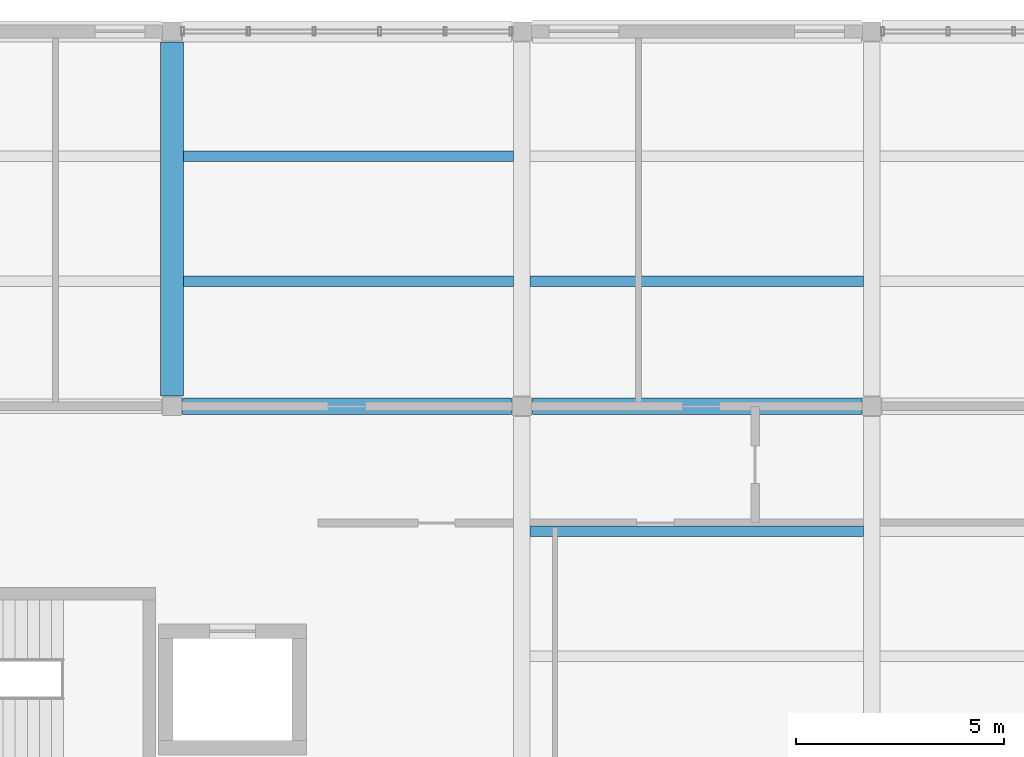
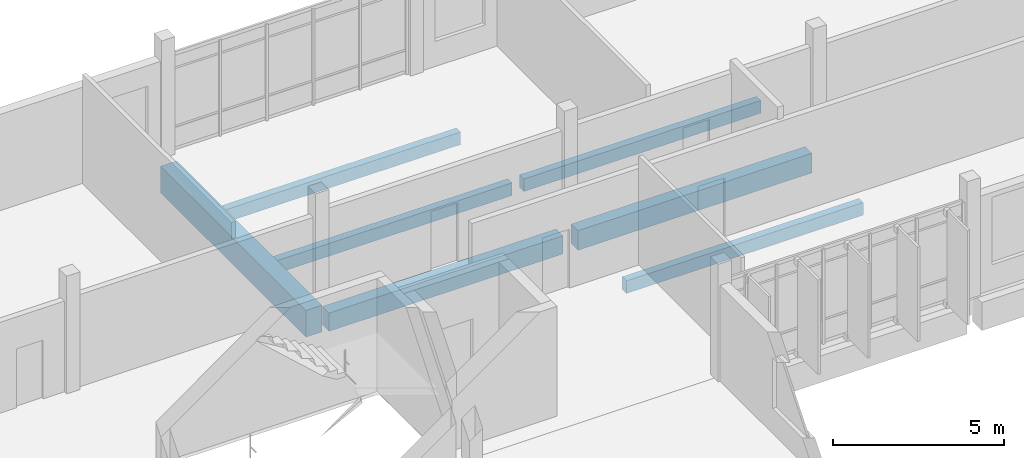
# One storey, part 37 of 62: 7 beams.
"""IFC4 building model written with IfcOpenShell, lengths in metres."""

from ifc_helpers import new_model, si_unit, direction, frame, origin, origin_2d, place, context, subcontext, project, spatial, rectangle, extrude, material, material_profile, profile_set, type_object, element, save


model = new_model("IFC4")

# Units and contexts
model_context = context("Model", 3, precision=1e-05, world=origin(), true_north=direction((0.0, 1.0)))
body_context = subcontext(model_context, "Body", "Model", "MODEL_VIEW")
ifc_project = project(units=[si_unit("LENGTHUNIT", "METRE"), si_unit("AREAUNIT", "SQUARE_METRE"), si_unit("VOLUMEUNIT", "CUBIC_METRE"), si_unit("PLANEANGLEUNIT", "RADIAN"), si_unit("MASSUNIT", "GRAM", prefix="KILO")], contexts=[model_context])

# Site, building, storey
site_placement = place(None, origin())
site = spatial("IfcSite", under=ifc_project, at=site_placement, CompositionType="ELEMENT")
building_placement = place(site_placement, origin())
building = spatial("IfcBuilding", under=site, at=building_placement, Name="Vireocrest Preparatory School", CompositionType="ELEMENT")
storey_placement = place(building_placement, frame((0.0, 0.0, 17.39990234375)))
storey = spatial("IfcBuildingStorey", under=building, at=storey_placement, Name="L04", CompositionType="ELEMENT", Elevation=17.39990234375)

# Beams
ifc_material = material(Name="Concrete 40 MPa", Category="concrete")
ifc_material_profile_1 = material_profile(ifc_material, rectangle(XDim=0.39990234375, YDim=0.699951171875, at=origin_2d()), Name="RC 400x700")
ifc_profile_set_1 = profile_set([ifc_material_profile_1], Name="Concrete 40 MPa")
beam_type_1 = type_object("IfcBeamType", Name="RC Corridor Girder 400x700", PredefinedType="BEAM", material=ifc_profile_set_1)
beam_1_placement = place(storey_placement, frame((67.449951171875, 103.800048828125, -0.58984375), z_axis=(1.0, 0.0, 0.0), x_axis=(0.0, 1.0, 0.0)))
element("IfcBeam", 1, at=beam_1_placement, inside=storey, type_object=beam_type_1, Name="Primary Girder B08 L04-1338", PredefinedType="BEAM", context=body_context, shape_type="SweptSolid", body=[
    extrude(rectangle(XDim=0.39990234375, YDim=0.699951171875, at=origin_2d()), origin(), (0.0, 0.0, 1.0), 7.900146484375),
])
ifc_material_profile_2 = material_profile(ifc_material, rectangle(XDim=0.39990234375, YDim=0.64990234375, at=origin_2d()), Name="RC 400x650")
ifc_profile_set_2 = profile_set([ifc_material_profile_2], Name="Concrete 40 MPa")
beam_type_2 = type_object("IfcBeamType", Name="RC Laboratory Girder 400x650", PredefinedType="BEAM", material=ifc_profile_set_2)
beam_2_placement = place(storey_placement, frame((59.050048828125, 103.800048828125, -0.56494140625), z_axis=(1.0, 0.0, 0.0), x_axis=(0.0, 1.0, 0.0)))
element("IfcBeam", 2, at=beam_2_placement, inside=storey, type_object=beam_type_2, Name="Primary Girder B07 L04-1337", PredefinedType="BEAM", context=body_context, shape_type="SweptSolid", body=[
    extrude(rectangle(XDim=0.39990234375, YDim=0.64990234375, at=origin_2d()), origin(), (0.0, 0.0, 1.0), 7.89990234375),
])
ifc_material_profile_3 = material_profile(ifc_material, rectangle(XDim=0.25, YDim=0.449951171875, at=origin_2d()), Name="RC 250x450")
ifc_profile_set_3 = profile_set([ifc_material_profile_3], Name="Concrete 40 MPa")
beam_type_3 = type_object("IfcBeamType", Name="RC Secondary Floor Joist 250x450", PredefinedType="JOIST", material=ifc_profile_set_3)
for number, where, z_axis, x_axis, name in (
    (3, (59.074951171875, 106.800048828125, -0.46484375), (1.0, 0.0, 0.0), (0.0, 1.0, 0.0), "Secondary Joist J01 L04-1467"),
    (4, (59.074951171875, 109.800048828125, -0.46484375), (1.0, 0.0, 0.0), (0.0, 1.0, 0.0), "Secondary Joist J01 L04-1468"),
):
    element("IfcBeam", number, at=place(storey_placement, frame(where, z_axis=z_axis, x_axis=x_axis)), inside=storey, type_object=beam_type_3, Name=name, PredefinedType="JOIST", context=body_context, shape_type="SweptSolid", body=[
        extrude(rectangle(XDim=0.25, YDim=0.449951171875, at=origin_2d()), origin(), (0.0, 0.0, 1.0), 7.925048828125),
    ])
for number, where, z_axis, x_axis, name in (
    (5, (67.39990234375, 100.800048828125, -0.46484375), (1.0, 0.0, 0.0), (0.0, 1.0, 0.0), "Secondary Joist J01 L04-1470"),
    (6, (67.39990234375, 106.800048828125, -0.46484375), (1.0, 0.0, 0.0), (0.0, 1.0, 0.0), "Secondary Joist J01 L04-1471"),
):
    element("IfcBeam", number, at=place(storey_placement, frame(where, z_axis=z_axis, x_axis=x_axis)), inside=storey, type_object=beam_type_3, Name=name, PredefinedType="JOIST", context=body_context, shape_type="SweptSolid", body=[
        extrude(rectangle(XDim=0.25, YDim=0.449951171875, at=origin_2d()), origin(), (0.0, 0.0, 1.0), 8.0),
    ])
ifc_material_profile_4 = material_profile(ifc_material, rectangle(XDim=0.550048828125, YDim=0.949951171875, at=origin_2d()), Name="RC 550x950")
ifc_profile_set_4 = profile_set([ifc_material_profile_4], Name="Concrete 40 MPa")
beam_type_4 = type_object("IfcBeamType", Name="RC Setback Edge Girder 550x950", PredefinedType="BEAM", material=ifc_profile_set_4)
beam_3_placement = place(storey_placement, frame((58.800048828125, 104.050048828125, -0.71484375), z_axis=(0.0, 1.0, 0.0), x_axis=(-1.0, 0.0, 0.0)))
element("IfcBeam", 7, at=beam_3_placement, inside=storey, type_object=beam_type_4, Name="Primary Girder B17 L04-1378", PredefinedType="BEAM", context=body_context, shape_type="SweptSolid", body=[
    extrude(rectangle(XDim=0.550048828125, YDim=0.949951171875, at=origin_2d()), origin(), (0.0, 0.0, 1.0), 8.5),
])

save(model, "model.ifc")
